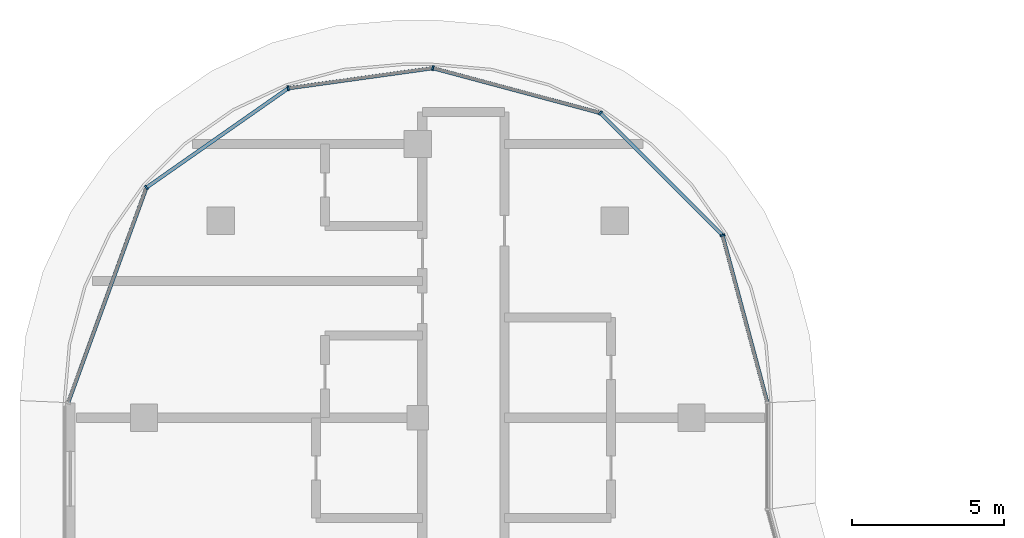
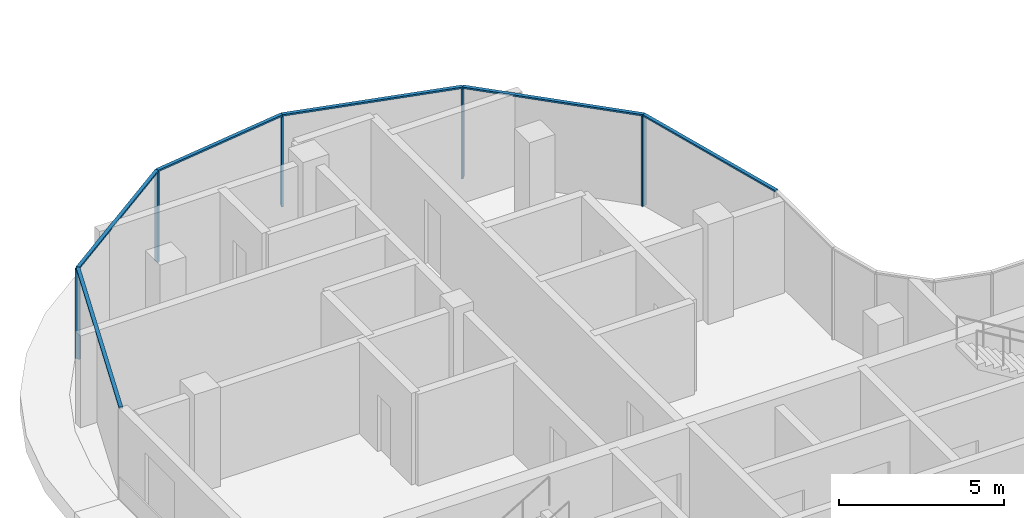
# One storey, part 6 of 20: 11 members, 1 element without a shape of its own.
"""IFC4 building model written with IfcOpenShell, lengths in metres."""

from ifc_helpers import new_model, si_unit, direction, frame, origin, origin_2d, place, context, subcontext, project, spatial, rectangle, extrude, material, material_profile, profile_set, type_object, element, aggregate, save


model = new_model("IFC4")

# Units and contexts
model_context = context("Model", 3, precision=1e-05, world=origin(), true_north=direction((0.0, 1.0)))
body_context = subcontext(model_context, "Body", "Model", "MODEL_VIEW")
ifc_project = project(units=[si_unit("LENGTHUNIT", "METRE"), si_unit("AREAUNIT", "SQUARE_METRE"), si_unit("VOLUMEUNIT", "CUBIC_METRE"), si_unit("PLANEANGLEUNIT", "RADIAN"), si_unit("MASSUNIT", "GRAM", prefix="KILO")], contexts=[model_context])

# Site, building, storey
site_placement = place(None, origin())
site = spatial("IfcSite", under=ifc_project, at=site_placement, CompositionType="ELEMENT")
building_placement = place(site_placement, origin())
building = spatial("IfcBuilding", under=site, at=building_placement, Name="Ogive Portal Towers", CompositionType="ELEMENT")
storey_placement = place(building_placement, frame((0.0, 0.0, 232.800048828125)))
storey = spatial("IfcBuildingStorey", under=building, at=storey_placement, Name="L58", CompositionType="ELEMENT", Elevation=232.800048828125)

# Curtain wall, members
ifc_material_1 = material(Name="Glass, clear low-iron insulated glazing", Category="glass")
curtain_wall_type = type_object("IfcCurtainWallType", Name="CW FRONT RIBBON 4500", PredefinedType="NOTDEFINED", material=ifc_material_1)
curtain_wall_placement = place(storey_placement, origin())
curtain_wall = element("IfcCurtainWall", 1, at=curtain_wall_placement, inside=storey, type_object=curtain_wall_type, Name="A:L58:f21:cwa", PredefinedType="NOTDEFINED")
ifc_material_2 = material(Name="Aluminium 6063 anodised", Category="aluminium")
ifc_material_profile_1 = material_profile(ifc_material_2, rectangle(XDim=0.159912109375, YDim=0.06005859375, at=origin_2d()), Name="AL 60x160")
ifc_profile_set_1 = profile_set([ifc_material_profile_1], Name="Aluminium 6063 anodised")
member_type_1 = type_object("IfcMemberType", Name="CW MULLION 60x160", PredefinedType="MULLION", material=ifc_profile_set_1)
member_1_placement = place(storey_placement, frame((50.51953125, 54.49609375, 0.0), z_axis=(0.0, 0.0, 1.0), x_axis=(-0.965925826289, -0.258819045103, 0.0)))
member_1 = element("IfcMember", 2, at=member_1_placement, type_object=member_type_1, Name="mullion", PredefinedType="MULLION", context=body_context, shape_type="SweptSolid", body=[
    extrude(rectangle(XDim=0.159912109375, YDim=0.06005859375, at=origin_2d()), origin(), (0.0, 0.0, 1.0), 3.33984375),
])
member_2_placement = place(storey_placement, frame((46.49609375, 58.51953125, 0.0), z_axis=(0.0, 0.0, 1.0), x_axis=(-0.707106781187, -0.707106781187, 0.0)))
member_2 = element("IfcMember", 3, at=member_2_placement, type_object=member_type_1, Name="mullion", PredefinedType="MULLION", context=body_context, shape_type="SweptSolid", body=[
    extrude(rectangle(XDim=0.159912109375, YDim=0.06005859375, at=origin_2d()), origin(), (0.0, 0.0, 1.0), 3.33984375),
])
member_3_placement = place(storey_placement, frame((40.994873046875, 59.993408203125, 0.0), z_axis=(0.0, 0.0, 1.0), x_axis=(-0.258819045103, -0.965925826289, 0.0)))
member_3 = element("IfcMember", 4, at=member_3_placement, type_object=member_type_1, Name="mullion", PredefinedType="MULLION", context=body_context, shape_type="SweptSolid", body=[
    extrude(rectangle(XDim=0.159912109375, YDim=0.06005859375, at=origin_2d()), origin(), (0.0, 0.0, 1.0), 3.33984375),
])
member_4_placement = place(storey_placement, frame((36.2421875, 59.33056640625, 0.0), z_axis=(0.0, 0.0, 1.0), x_axis=(0.138161316467, -0.990409738761, 0.0)))
member_4 = element("IfcMember", 5, at=member_4_placement, type_object=member_type_1, Name="mullion", PredefinedType="MULLION", context=body_context, shape_type="SweptSolid", body=[
    extrude(rectangle(XDim=0.159912109375, YDim=0.06005859375, at=origin_2d()), origin(), (0.0, 0.0, 1.0), 3.33984375),
])
member_5_placement = place(storey_placement, frame((31.58251953125, 56.06787109375, 0.0), z_axis=(0.0, 0.0, 1.0), x_axis=(0.573576436351, -0.819152044289, 0.0)))
member_5 = element("IfcMember", 6, at=member_5_placement, type_object=member_type_1, Name="mullion", PredefinedType="MULLION", context=body_context, shape_type="SweptSolid", body=[
    extrude(rectangle(XDim=0.159912109375, YDim=0.06005859375, at=origin_2d()), origin(), (0.0, 0.0, 1.0), 3.33984375),
])
ifc_material_profile_2 = material_profile(ifc_material_2, rectangle(XDim=0.1201171875, YDim=0.06005859375, at=origin_2d()), Name="AL 120x60")
ifc_profile_set_2 = profile_set([ifc_material_profile_2], Name="Aluminium 6063 anodised")
member_type_2 = type_object("IfcMemberType", Name="CW TRANSOM 60x120", PredefinedType="USERDEFINED", material=ifc_profile_set_2)
member_6_placement = place(storey_placement, frame((51.9951171875, 48.989501953125, 3.369873046875), z_axis=(-0.258835265962, 0.965921479777, 0.0), x_axis=(-0.965921479777, -0.258835265962, 0.0)))
member_6 = element("IfcMember", 7, at=member_6_placement, type_object=member_type_2, Name="transom", ObjectType="TRANSOM", PredefinedType="USERDEFINED", context=body_context, shape_type="SweptSolid", body=[
    extrude(rectangle(XDim=0.1201171875, YDim=0.06005859375, at=origin_2d()), origin(), (0.0, 0.0, 1.0), 5.700927734375),
])
member_7_placement = place(storey_placement, frame((50.51953125, 54.49609375, 3.369873046875), z_axis=(-0.707106781187, 0.707106781187, 0.0), x_axis=(-0.707106781187, -0.707106781187, 0.0)))
member_7 = element("IfcMember", 8, at=member_7_placement, type_object=member_type_2, Name="transom", ObjectType="TRANSOM", PredefinedType="USERDEFINED", context=body_context, shape_type="SweptSolid", body=[
    extrude(rectangle(XDim=0.1201171875, YDim=0.06005859375, at=origin_2d()), origin(), (0.0, 0.0, 1.0), 5.68994140625),
])
member_8_placement = place(storey_placement, frame((46.49609375, 58.51953125, 3.369873046875), z_axis=(-0.96593331862, 0.258791081725, 0.0), x_axis=(-0.258791081725, -0.96593331862, 0.0)))
member_8 = element("IfcMember", 9, at=member_8_placement, type_object=member_type_2, Name="transom", ObjectType="TRANSOM", PredefinedType="USERDEFINED", context=body_context, shape_type="SweptSolid", body=[
    extrude(rectangle(XDim=0.1201171875, YDim=0.06005859375, at=origin_2d()), origin(), (0.0, 0.0, 1.0), 5.6953125),
])
member_9_placement = place(storey_placement, frame((40.994873046875, 59.993408203125, 3.369873046875), z_axis=(-0.990414123812, -0.138129878571, 0.0), x_axis=(0.138129878571, -0.990414123812, 0.0)))
member_9 = element("IfcMember", 10, at=member_9_placement, type_object=member_type_2, Name="transom", ObjectType="TRANSOM", PredefinedType="USERDEFINED", context=body_context, shape_type="SweptSolid", body=[
    extrude(rectangle(XDim=0.1201171875, YDim=0.06005859375, at=origin_2d()), origin(), (0.0, 0.0, 1.0), 4.798583984375),
])
member_10_placement = place(storey_placement, frame((36.2421875, 59.33056640625, 3.369873046875), z_axis=(-0.819155292405, -0.573571797532, 0.0), x_axis=(0.573571797532, -0.819155292405, 0.0)))
member_10 = element("IfcMember", 11, at=member_10_placement, type_object=member_type_2, Name="transom", ObjectType="TRANSOM", PredefinedType="USERDEFINED", context=body_context, shape_type="SweptSolid", body=[
    extrude(rectangle(XDim=0.1201171875, YDim=0.06005859375, at=origin_2d()), origin(), (0.0, 0.0, 1.0), 5.6884765625),
])
member_11_placement = place(storey_placement, frame((31.58251953125, 56.06787109375, 3.369873046875), z_axis=(-0.342018754399, -0.939693126313, 0.0), x_axis=(0.939693126313, -0.342018754399, 0.0)))
member_11 = element("IfcMember", 12, at=member_11_placement, type_object=member_type_2, Name="transom", ObjectType="TRANSOM", PredefinedType="USERDEFINED", context=body_context, shape_type="SweptSolid", body=[
    extrude(rectangle(XDim=0.1201171875, YDim=0.06005859375, at=origin_2d()), origin(), (0.0, 0.0, 1.0), 7.53662109375),
])
aggregate(curtain_wall, [member_6, member_7, member_8, member_9, member_10, member_11, member_1, member_2, member_3, member_4, member_5])

save(model, "model.ifc")
